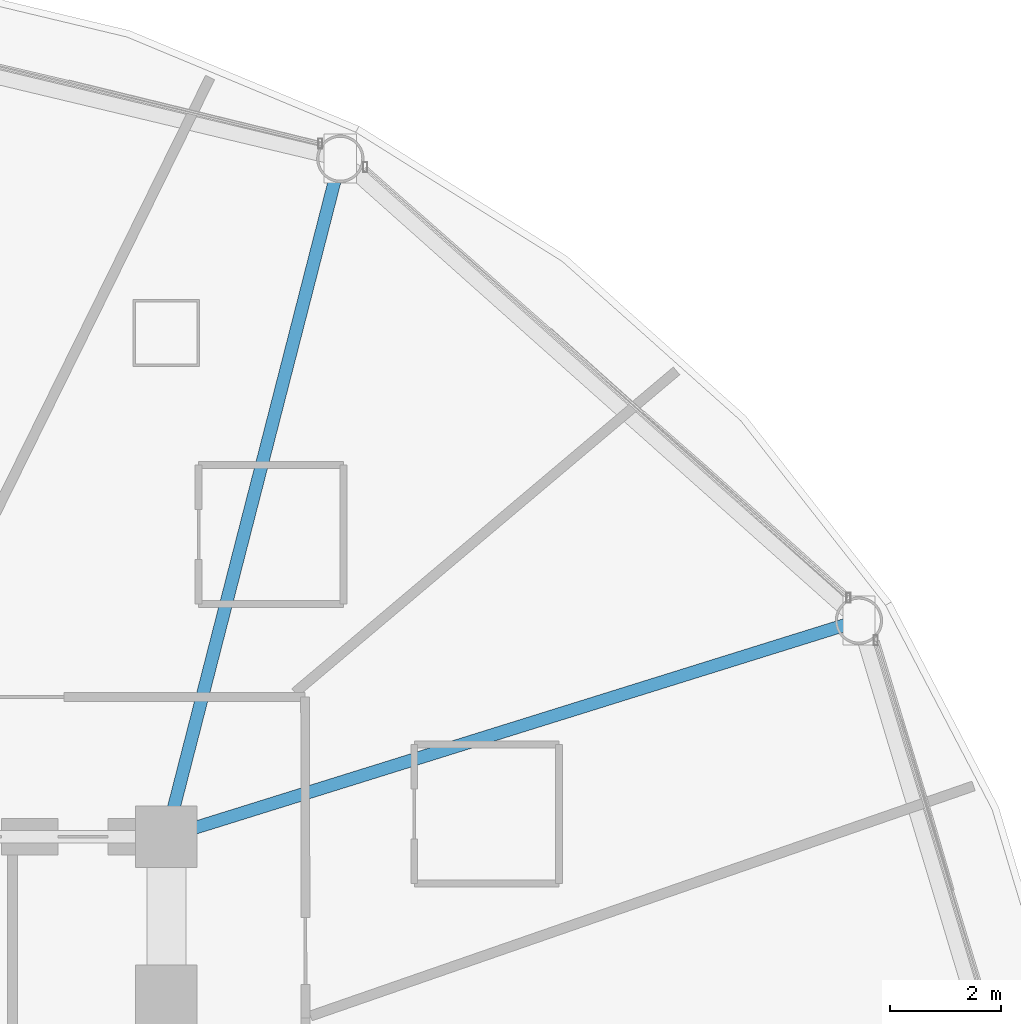
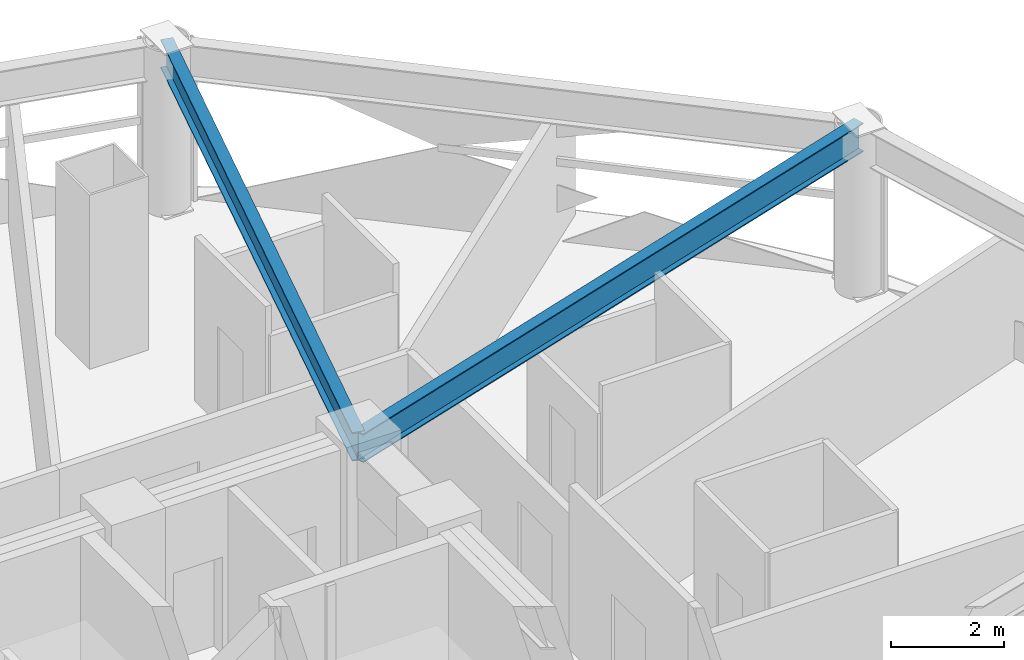
# One storey, part 19 of 31: 2 beams.
"""IFC4 building model written with IfcOpenShell, lengths in metres."""

import ifcopenshell
import ifcopenshell.guid

model = None  # the IFC model being written
_history = None  # IfcOwnerHistory: only IFC2X3 demands one
_inside = {}  # id of a spatial element -> (the spatial element, [elements in it])
_under = {}  # id of a project, library or spatial element -> (it, [spatial elements below it])
_declared = {}  # id of a project -> (the project, [libraries it declares])
_typed = {}  # id of a type object -> (the type object, [elements of that type])
_made_of = {}  # id of a material, layer set ... -> (it, [elements and type objects made of it])


def new_model(schema):
    """Start an empty IFC model of exactly this schema.

    Asked for "IFC4X3", IfcOpenShell would pick the latest addendum, in which some entities
    have other attributes; the version numbers below select the first issue.
    IFC2X3 requires an IfcOwnerHistory on every rooted entity: one is made here for all.
    """
    global model, _history
    if schema == "IFC4X3":
        model = ifcopenshell.file(schema_version=(4, 3, 0, 0))
    else:
        model = ifcopenshell.file(schema=schema)
    _inside.clear()
    _under.clear()
    _declared.clear()
    _typed.clear()
    _made_of.clear()
    _history = None
    if model.schema == "IFC2X3":
        org = make("IfcOrganization", Name="unknown")
        user = make(
            "IfcPersonAndOrganization",
            ThePerson=make("IfcPerson", FamilyName="unknown"),
            TheOrganization=org,
        )
        app = make(
            "IfcApplication",
            ApplicationDeveloper=org,
            Version="unknown",
            ApplicationFullName="unknown",
            ApplicationIdentifier="unknown",
        )
        _history = make(
            "IfcOwnerHistory",
            OwningUser=user,
            OwningApplication=app,
            ChangeAction="ADDED",
            CreationDate=0,
        )
    return model


def make(cls, **values):
    """One entity of the class cls with the attributes given. An attribute that is None is left unset."""
    return model.create_entity(
        cls, **{name: value for name, value in values.items() if value is not None}
    )


def rooted(cls, **values):
    """An entity with a GlobalId (a new one), such as an element, a storey or a relation."""
    return make(cls, GlobalId=ifcopenshell.guid.new(), OwnerHistory=_history, **values)


def si_unit(unit_type, name, prefix=None):
    """IfcSIUnit, for example si_unit("LENGTHUNIT", "METRE", prefix="MILLI")."""
    return make("IfcSIUnit", UnitType=unit_type, Prefix=prefix, Name=name)


def assignment(units):
    """IfcUnitAssignment: the units of a project."""
    return None if units is None else make("IfcUnitAssignment", Units=units)


def point(xyz):
    """IfcCartesianPoint."""
    return None if xyz is None else make("IfcCartesianPoint", Coordinates=xyz)


def direction(xyz):
    """IfcDirection."""
    return None if xyz is None else make("IfcDirection", DirectionRatios=xyz)


def frame(location, z_axis=None, x_axis=None):
    """IfcAxis2Placement3D, a coordinate frame: its origin and axes. An axis left out is left unset."""
    return make(
        "IfcAxis2Placement3D",
        Location=point(location),
        Axis=direction(z_axis),
        RefDirection=direction(x_axis),
    )


def frame_2d(location, x_axis=None):
    """IfcAxis2Placement2D, a coordinate frame in the plane: its origin and x axis."""
    return make(
        "IfcAxis2Placement2D", Location=point(location), RefDirection=direction(x_axis)
    )


def origin():
    """The frame at (0, 0, 0) with its axes left unset."""
    return frame((0.0, 0.0, 0.0))


def origin_2d():
    """The frame at (0, 0) in the plane with its x axis left unset."""
    return frame_2d((0.0, 0.0))


def place(relative_to, where):
    """IfcLocalPlacement: puts the frame where relative to a parent placement (None: the world)."""
    return make(
        "IfcLocalPlacement", PlacementRelTo=relative_to, RelativePlacement=where
    )


def context(
    kind, dimensions, precision=None, world=None, true_north=None, identifier=None
):
    """IfcGeometricRepresentationContext, for example the 3D "Model" context."""
    return make(
        "IfcGeometricRepresentationContext",
        ContextIdentifier=identifier,
        ContextType=kind,
        CoordinateSpaceDimension=dimensions,
        Precision=precision,
        WorldCoordinateSystem=world,
        TrueNorth=true_north,
    )


def subcontext(parent, identifier, kind, view, scale=None):
    """IfcGeometricRepresentationSubContext, for example "Body" below "Model"."""
    return make(
        "IfcGeometricRepresentationSubContext",
        ContextIdentifier=identifier,
        ContextType=kind,
        ParentContext=parent,
        TargetScale=scale,
        TargetView=view,
    )


def project(units=None, contexts=None):
    """IfcProject with its units and contexts."""
    return rooted(
        "IfcProject",
        Name="project",
        RepresentationContexts=contexts,
        UnitsInContext=assignment(units),
    )


def spatial(cls, under=None, at=None, **own):
    """A site, building, storey or space (cls), placed at a placement, below another one or the project."""
    s = rooted(cls, ObjectPlacement=at, **own)
    if under is not None:
        _under.setdefault(under.id(), (under, []))[1].append(s)
    return s


def profile(cls, at=None, kind="AREA", **sizes):
    """A parametric profile (cls). Its sizes go by their IFC names, for example OverallWidth=200.0."""
    return make(cls, ProfileType=kind, Position=at, **sizes)


def i_section(**sizes):
    """IfcIShapeProfileDef."""
    return profile("IfcIShapeProfileDef", **sizes)


def extrude(swept, where, along, depth):
    """IfcExtrudedAreaSolid: the profile swept, set in the frame where, extruded along a direction by depth."""
    return make(
        "IfcExtrudedAreaSolid",
        SweptArea=swept,
        Position=where,
        ExtrudedDirection=direction(along),
        Depth=depth,
    )


def shape(context_of_items, identifier, shape_type, items):
    """IfcShapeRepresentation: the items that make up one representation, for example the "Body"."""
    return make(
        "IfcShapeRepresentation",
        ContextOfItems=context_of_items,
        RepresentationIdentifier=identifier,
        RepresentationType=shape_type,
        Items=items,
    )


def material(Name=None, Category=None):
    """IfcMaterial."""
    return make("IfcMaterial", Name=Name, Category=Category)


def material_profile(
    of_material, cross_section, Name=None, Category=None, Priority=None
):
    """IfcMaterialProfile: a cross section and its material."""
    return make(
        "IfcMaterialProfile",
        Name=Name,
        Material=of_material,
        Profile=cross_section,
        Priority=Priority,
        Category=Category,
    )


def profile_set(profiles, Name=None, composite=None):
    """IfcMaterialProfileSet."""
    return make(
        "IfcMaterialProfileSet",
        Name=Name,
        MaterialProfiles=profiles,
        CompositeProfile=composite,
    )


def made_of(thing, what):
    """Note that an element or type object is made of a material, layer set ...; save() writes the relation."""
    if what is not None:
        _made_of.setdefault(what.id(), (what, []))[1].append(thing)
    return thing


def type_object(cls, material=None, **own):
    """A type object (cls), such as IfcWallType, which elements share."""
    return made_of(rooted(cls, **own), material)


def element(
    cls,
    number,
    at=None,
    inside=None,
    cuts=None,
    type_object=None,
    material=None,
    context=None,
    identifier="Body",
    shape_type=None,
    held_by="IfcProductDefinitionShape",
    body=None,
    shapes=None,
    **own,
):
    """One element of the class cls, such as IfcWall. Its Tag is "e" and its number.

    at: its placement. inside: the storey or other place that contains it. cuts: it is an
    opening in that element (IfcRelVoidsElement). A single representation is given by context,
    identifier, shape_type and body (its items); several are given by shapes. held_by: the class
    of the entity that holds the representations. save() writes the other relations.
    """
    e = rooted(cls, Tag="e%d" % number, ObjectPlacement=at, **own)
    if body is not None:
        shapes = [shape(context, identifier, shape_type, body)]
    if shapes is not None:
        e.Representation = make(held_by, Representations=shapes)
    if inside is not None:
        _inside.setdefault(inside.id(), (inside, []))[1].append(e)
    if cuts is not None:
        rooted(
            "IfcRelVoidsElement", RelatingBuildingElement=cuts, RelatedOpeningElement=e
        )
    if type_object is not None:
        _typed.setdefault(type_object.id(), (type_object, []))[1].append(e)
    return made_of(e, material)


def aggregate(whole, parts):
    """IfcRelAggregates: a whole, such as a stair, and the parts it consists of."""
    return rooted("IfcRelAggregates", RelatingObject=whole, RelatedObjects=parts)


def save(model, path):
    """Write the relations noted so far, then the file.

    IfcRelAggregates (storeys below a building ...), IfcRelContainedInSpatialStructure (elements
    in a storey), IfcRelDefinesByType, IfcRelAssociatesMaterial and IfcRelDeclares: one each for
    every whole, place, type object, material and project.
    """
    for whole, parts in _under.values():
        aggregate(whole, parts)
    for where, things in _inside.values():
        rooted(
            "IfcRelContainedInSpatialStructure",
            RelatedElements=things,
            RelatingStructure=where,
        )
    for kind, things in _typed.values():
        rooted("IfcRelDefinesByType", RelatedObjects=things, RelatingType=kind)
    for what, things in _made_of.values():
        rooted("IfcRelAssociatesMaterial", RelatedObjects=things, RelatingMaterial=what)
    for by, libraries in _declared.values():
        rooted("IfcRelDeclares", RelatingContext=by, RelatedDefinitions=libraries)
    model.write(path)


model = new_model("IFC4")

# Units and contexts
model_context = context("Model", 3, precision=1e-05, world=origin(), true_north=direction((0.0, 1.0)))
body_context = subcontext(model_context, "Body", "Model", "MODEL_VIEW")
ifc_project = project(units=[si_unit("LENGTHUNIT", "METRE"), si_unit("AREAUNIT", "SQUARE_METRE"), si_unit("VOLUMEUNIT", "CUBIC_METRE"), si_unit("PLANEANGLEUNIT", "RADIAN"), si_unit("MASSUNIT", "GRAM", prefix="KILO")], contexts=[model_context])

# Site, building, storey
site_placement = place(None, origin())
site = spatial("IfcSite", under=ifc_project, at=site_placement, CompositionType="ELEMENT")
building_placement = place(site_placement, origin())
building = spatial("IfcBuilding", under=site, at=building_placement, Name="Vantalir Tower", CompositionType="ELEMENT")
storey_placement = place(building_placement, frame((0.0, 0.0, 30.75)))
storey = spatial("IfcBuildingStorey", under=building, at=storey_placement, Name="L06", CompositionType="ELEMENT", Elevation=30.75)

# Beams
ifc_material = material(Name="Steel S355", Category="steel")
ifc_material_profile = material_profile(ifc_material, i_section(OverallWidth=0.22998046875, OverallDepth=0.616943359375, WebThickness=0.01318359375, FlangeThickness=0.022216796875, at=origin_2d()), Name="Steel S355")
ifc_profile_set = profile_set([ifc_material_profile], Name="Steel S355")
beam_type = type_object("IfcBeamType", Name="BM-RB-610x229", PredefinedType="BEAM", material=ifc_profile_set)
beam_1_placement = place(storey_placement, frame((53.5400390625, 36.33203125, 3.261962890625), z_axis=(-0.954597910708, -0.297897346198, 0.0), x_axis=(0.297897346198, -0.954597910708, 0.0)))
element("IfcBeam", 1, at=beam_1_placement, inside=storey, type_object=beam_type, Name="L06 Radial Floor Beam 02", PredefinedType="BEAM", context=body_context, shape_type="SweptSolid", body=[
    extrude(i_section(OverallWidth=0.22998046875, OverallDepth=0.616943359375, WebThickness=0.01318359375, FlangeThickness=0.022216796875, at=origin_2d()), origin(), (0.0, 0.0, 1.0), 13.031494140625),
])
beam_2_placement = place(storey_placement, frame((44.22509765625, 44.6279296875, 3.261962890625), z_axis=(-0.248557552091, -0.968617129365, 0.0), x_axis=(0.968617129365, -0.248557552091, 0.0)))
element("IfcBeam", 2, at=beam_2_placement, inside=storey, type_object=beam_type, Name="L06 Radial Floor Beam 03", PredefinedType="BEAM", context=body_context, shape_type="SweptSolid", body=[
    extrude(i_section(OverallWidth=0.22998046875, OverallDepth=0.616943359375, WebThickness=0.01318359375, FlangeThickness=0.022216796875, at=origin_2d()), origin(), (0.0, 0.0, 1.0), 12.572509765625),
])

save(model, "model.ifc")
